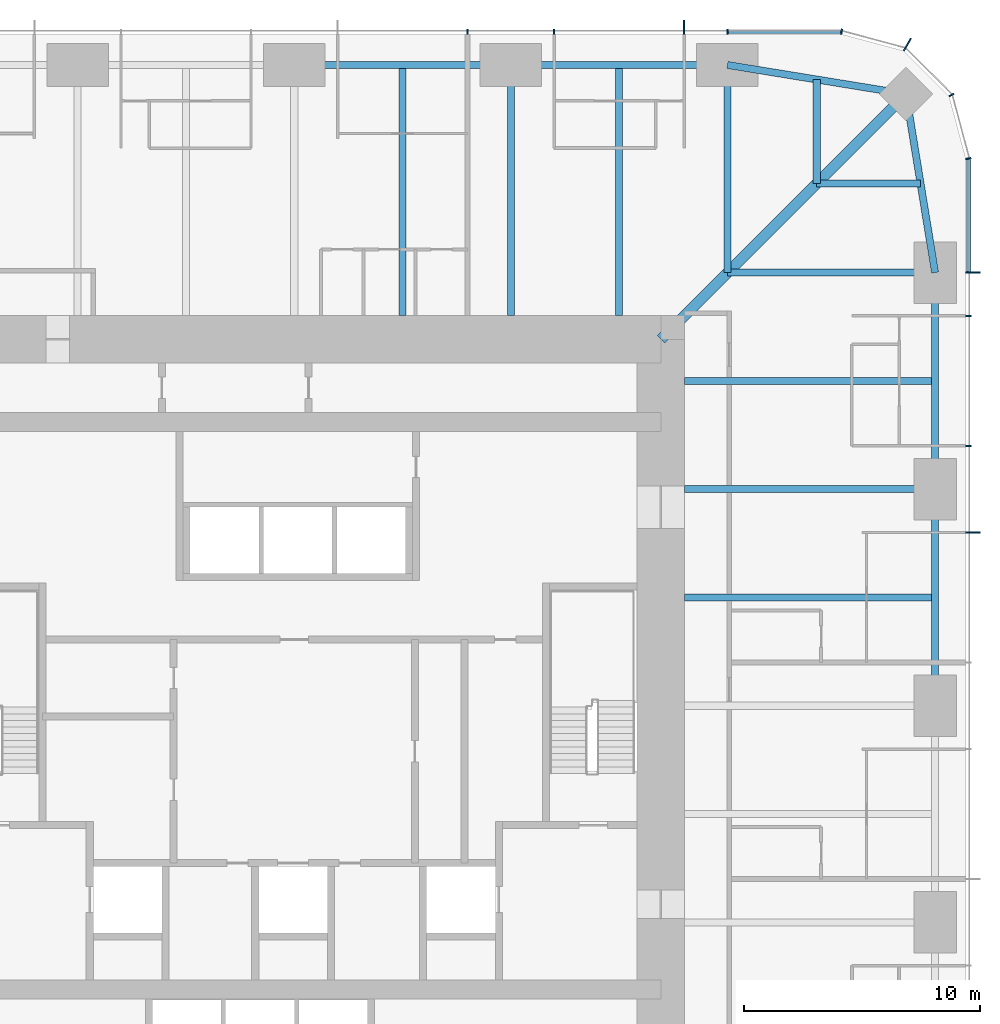
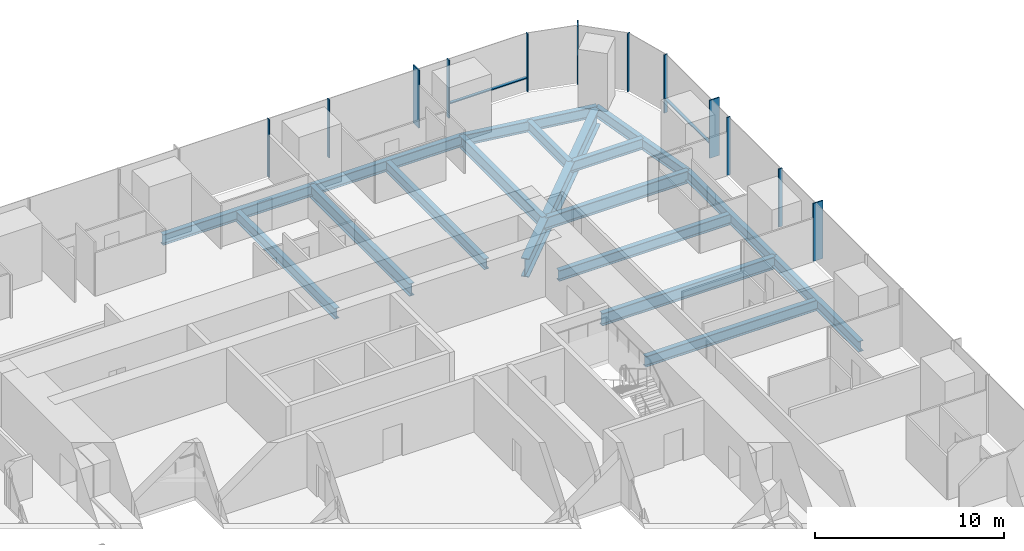
# One storey, part 6 of 13: 17 beams, 14 members, 3 elements without a shape of their own.
"""IFC4 building model written with IfcOpenShell, lengths in metres."""

from ifc_helpers import new_model, si_unit, direction, frame, origin, origin_2d, place, context, subcontext, project, spatial, rectangle, i_section, extrude, material, material_profile, profile_set, type_object, element, aggregate, save


model = new_model("IFC4")

# Units and contexts
model_context = context("Model", 3, precision=1e-05, world=origin(), true_north=direction((0.0, 1.0)))
body_context = subcontext(model_context, "Body", "Model", "MODEL_VIEW")
ifc_project = project(units=[si_unit("LENGTHUNIT", "METRE"), si_unit("AREAUNIT", "SQUARE_METRE"), si_unit("VOLUMEUNIT", "CUBIC_METRE"), si_unit("PLANEANGLEUNIT", "RADIAN"), si_unit("MASSUNIT", "GRAM", prefix="KILO")], contexts=[model_context])

# Site, building, storey
site_placement = place(None, origin())
site = spatial("IfcSite", under=ifc_project, at=site_placement, CompositionType="ELEMENT")
building_placement = place(site_placement, origin())
building = spatial("IfcBuilding", under=site, at=building_placement, Name="Khuree Lantern Residences", CompositionType="ELEMENT")
storey_placement = place(building_placement, frame((0.0, 0.0, 163.5)))
storey = spatial("IfcBuildingStorey", under=building, at=storey_placement, Name="L41", CompositionType="ELEMENT", Elevation=163.5)

# Beams
ifc_material_1 = material(Name="Steel S355", Category="steel")
ifc_material_profile_1 = material_profile(ifc_material_1, i_section(OverallWidth=0.300048828125, OverallDepth=0.68994140625, WebThickness=0.014404296875, FlangeThickness=0.027099609375, FilletRadius=0.027099609375, at=origin_2d()), Name="HE 700 A")
ifc_profile_set_1 = profile_set([ifc_material_profile_1], Name="Steel S355")
beam_type_1 = type_object("IfcBeamType", Name="B-24 SECONDARY BEAM HE 700 A", PredefinedType="BEAM", material=ifc_profile_set_1)
for number, where, z_axis, x_axis, name in (
    (1, (4.580078125, 27.10009765625, -0.594970703125), (0.0, -1.0, 0.0), (1.0, 0.0, 0.0), "Secondary beam N3"),
    (2, (13.739990234375, 27.10009765625, -0.594970703125), (0.0, -1.0, 0.0), (1.0, 0.0, 0.0), "Secondary beam N4"),
):
    element("IfcBeam", number, at=place(storey_placement, frame(where, z_axis=z_axis, x_axis=x_axis)), inside=storey, type_object=beam_type_1, Name=name, PredefinedType="BEAM", context=body_context, shape_type="SweptSolid", body=[
        extrude(i_section(OverallWidth=0.300048828125, OverallDepth=0.68994140625, WebThickness=0.014404296875, FlangeThickness=0.027099609375, FilletRadius=0.027099609375, at=origin_2d()), origin(), (0.0, 0.0, 1.0), 10.60009765625),
    ])
for number, where, z_axis, x_axis, name in (
    (3, (22.094970703125, 26.48486328125, -0.594970703125), (0.0, -1.0, 0.0), (1.0, 0.0, 0.0), "Secondary beam N5"),
    (4, (26.48486328125, 22.094970703125, -0.594970703125), (-1.0, 0.0, 0.0), (0.0, -1.0, 0.0), "Secondary beam E1"),
):
    element("IfcBeam", number, at=place(storey_placement, frame(where, z_axis=z_axis, x_axis=x_axis)), inside=storey, type_object=beam_type_1, Name=name, PredefinedType="BEAM", context=body_context, shape_type="SweptSolid", body=[
        extrude(i_section(OverallWidth=0.300048828125, OverallDepth=0.68994140625, WebThickness=0.014404296875, FlangeThickness=0.027099609375, FilletRadius=0.027099609375, at=origin_2d()), origin(), (0.0, 0.0, 1.0), 4.389892578125),
    ])
for number, where, z_axis, x_axis, name in (
    (5, (27.10009765625, 13.739990234375, -0.594970703125), (-1.0, 0.0, 0.0), (0.0, -1.0, 0.0), "Secondary beam E2"),
    (6, (27.10009765625, 4.580078125, -0.594970703125), (-1.0, 0.0, 0.0), (0.0, -1.0, 0.0), "Secondary beam E3"),
):
    element("IfcBeam", number, at=place(storey_placement, frame(where, z_axis=z_axis, x_axis=x_axis)), inside=storey, type_object=beam_type_1, Name=name, PredefinedType="BEAM", context=body_context, shape_type="SweptSolid", body=[
        extrude(i_section(OverallWidth=0.300048828125, OverallDepth=0.68994140625, WebThickness=0.014404296875, FlangeThickness=0.027099609375, FilletRadius=0.027099609375, at=origin_2d()), origin(), (0.0, 0.0, 1.0), 10.60009765625),
    ])
ifc_material_profile_2 = material_profile(ifc_material_1, i_section(OverallWidth=0.300048828125, OverallDepth=0.68994140625, WebThickness=0.014404296875, FlangeThickness=0.027099609375, FilletRadius=0.027099609375, at=origin_2d()), Name="HE 700 A")
ifc_profile_set_2 = profile_set([ifc_material_profile_2], Name="Steel S355")
beam_type_2 = type_object("IfcBeamType", Name="E-24 SPANDREL BEAM HE 700 A", PredefinedType="SPANDREL", material=ifc_profile_set_2)
beam_1_placement = place(storey_placement, frame((0.0, 27.10009765625, -0.594970703125), z_axis=(1.0, 0.0, 0.0), x_axis=(0.0, 1.0, 0.0)))
element("IfcBeam", 7, at=beam_1_placement, inside=storey, type_object=beam_type_2, Name="Spandrel beam N3", PredefinedType="SPANDREL", context=body_context, shape_type="SweptSolid", body=[
    extrude(i_section(OverallWidth=0.300048828125, OverallDepth=0.68994140625, WebThickness=0.014404296875, FlangeThickness=0.027099609375, FilletRadius=0.027099609375, at=origin_2d()), origin(), (0.0, 0.0, 1.0), 9.159912109375),
])
beam_2_placement = place(storey_placement, frame((9.159912109375, 27.10009765625, -0.594970703125), z_axis=(1.0, 0.0, 0.0), x_axis=(0.0, 1.0, 0.0)))
element("IfcBeam", 8, at=beam_2_placement, inside=storey, type_object=beam_type_2, Name="Spandrel beam N4", PredefinedType="SPANDREL", context=body_context, shape_type="SweptSolid", body=[
    extrude(i_section(OverallWidth=0.300048828125, OverallDepth=0.68994140625, WebThickness=0.014404296875, FlangeThickness=0.027099609375, FilletRadius=0.027099609375, at=origin_2d()), origin(), (0.0, 0.0, 1.0), 9.16015625),
])
for number, where, z_axis, x_axis, name in (
    (9, (18.320068359375, 27.10009765625, -0.594970703125), (0.986982656839, -0.160826723833, 0.0), (0.160826723833, 0.986982656839, 0.0), "Spandrel beam N5"),
    (10, (25.869873046875, 25.869873046875, -0.594970703125), (0.160826723833, -0.986982656839, 0.0), (0.986982656839, 0.160826723833, 0.0), "Spandrel beam E1"),
):
    element("IfcBeam", number, at=place(storey_placement, frame(where, z_axis=z_axis, x_axis=x_axis)), inside=storey, type_object=beam_type_2, Name=name, PredefinedType="SPANDREL", context=body_context, shape_type="SweptSolid", body=[
        extrude(i_section(OverallWidth=0.300048828125, OverallDepth=0.68994140625, WebThickness=0.014404296875, FlangeThickness=0.027099609375, FilletRadius=0.027099609375, at=origin_2d()), origin(), (0.0, 0.0, 1.0), 7.6494140625),
    ])
beam_3_placement = place(storey_placement, frame((27.10009765625, 18.320068359375, -0.594970703125), z_axis=(0.0, -1.0, 0.0), x_axis=(1.0, 0.0, 0.0)))
element("IfcBeam", 11, at=beam_3_placement, inside=storey, type_object=beam_type_2, Name="Spandrel beam E2", PredefinedType="SPANDREL", context=body_context, shape_type="SweptSolid", body=[
    extrude(i_section(OverallWidth=0.300048828125, OverallDepth=0.68994140625, WebThickness=0.014404296875, FlangeThickness=0.027099609375, FilletRadius=0.027099609375, at=origin_2d()), origin(), (0.0, 0.0, 1.0), 9.16015625),
])
beam_4_placement = place(storey_placement, frame((27.10009765625, 9.159912109375, -0.594970703125), z_axis=(0.0, -1.0, 0.0), x_axis=(1.0, 0.0, 0.0)))
element("IfcBeam", 12, at=beam_4_placement, inside=storey, type_object=beam_type_2, Name="Spandrel beam E3", PredefinedType="SPANDREL", context=body_context, shape_type="SweptSolid", body=[
    extrude(i_section(OverallWidth=0.300048828125, OverallDepth=0.68994140625, WebThickness=0.014404296875, FlangeThickness=0.027099609375, FilletRadius=0.027099609375, at=origin_2d()), origin(), (0.0, 0.0, 1.0), 9.159912109375),
])

# Curtain wall, members
ifc_material_2 = material(Name="Bronze anodised aluminium", Category="aluminium")
curtain_wall_type_1 = type_object("IfcCurtainWallType", Name="CW-T1 TOWER FACE CURTAIN WALL", PredefinedType="USERDEFINED", material=ifc_material_2)
curtain_wall_1_placement = place(storey_placement, origin())
curtain_wall_1 = element("IfcCurtainWall", 13, at=curtain_wall_1_placement, inside=storey, type_object=curtain_wall_type_1, Name="L41 EAST FACE CURTAIN WALL", ObjectType="Stick-built curtain wall", PredefinedType="USERDEFINED")
ifc_material_profile_3 = material_profile(ifc_material_2, rectangle(XDim=0.06494140625, YDim=0.60009765625, at=origin_2d()), Name="F1 65X600")
ifc_profile_set_3 = profile_set([ifc_material_profile_3], Name="Bronze anodised aluminium")
member_type_1 = type_object("IfcMemberType", Name="F1 BRONZE FIN MULLION TOWER 65X600", PredefinedType="MULLION", material=ifc_profile_set_3)
member_1_placement = place(storey_placement, frame((28.699951171875, 7.327880859375, 0.0), z_axis=(0.0, 0.0, 1.0), x_axis=(0.0, 1.0, 0.0)))
member_1 = element("IfcMember", 14, at=member_1_placement, type_object=member_type_1, Name="L41 EAST FACE FIN MULLION 11", PredefinedType="MULLION", context=body_context, shape_type="SweptSolid", body=[
    extrude(rectangle(XDim=0.06494140625, YDim=0.60009765625, at=origin_2d()), origin(), (0.0, 0.0, 1.0), 3.75),
])
member_2_placement = place(storey_placement, frame((28.699951171875, 18.320068359375, 0.0), z_axis=(0.0, 0.0, 1.0), x_axis=(0.0, 1.0, 0.0)))
member_2 = element("IfcMember", 15, at=member_2_placement, type_object=member_type_1, Name="L41 EAST FACE FIN MULLION 14", PredefinedType="MULLION", context=body_context, shape_type="SweptSolid", body=[
    extrude(rectangle(XDim=0.06494140625, YDim=0.60009765625, at=origin_2d()), origin(), (0.0, 0.0, 1.0), 3.75),
])

# Curtain wall, member
curtain_wall_type_2 = type_object("IfcCurtainWallType", Name="CW-T2 TOWER CORNER CURTAIN WALL", PredefinedType="USERDEFINED", material=ifc_material_2)
curtain_wall_2_placement = place(storey_placement, origin())
curtain_wall_2 = element("IfcCurtainWall", 16, at=curtain_wall_2_placement, inside=storey, type_object=curtain_wall_type_2, Name="L41 NORTH-EAST CORNER CURTAIN WALL", ObjectType="Faceted corner curtain wall", PredefinedType="USERDEFINED")
member_3_placement = place(storey_placement, frame((25.925048828125, 27.95654296875, 0.0), z_axis=(0.0, 0.0, 1.0), x_axis=(-0.866025388199, 0.500000026995, 0.0)))
member_3 = element("IfcMember", 17, at=member_3_placement, type_object=member_type_1, Name="L41 NORTH-EAST CORNER FIN MULLION 17", PredefinedType="MULLION", context=body_context, shape_type="SweptSolid", body=[
    extrude(rectangle(XDim=0.06494140625, YDim=0.60009765625, at=origin_2d()), origin(), (0.0, 0.0, 1.0), 3.75),
])

curtain_wall_3_placement = place(storey_placement, origin())
curtain_wall_3 = element("IfcCurtainWall", 18, at=curtain_wall_3_placement, inside=storey, type_object=curtain_wall_type_1, Name="L41 NORTH FACE CURTAIN WALL", ObjectType="Stick-built curtain wall", PredefinedType="USERDEFINED")
member_4_placement = place(storey_placement, frame((16.488037109375, 28.699951171875, 0.0), z_axis=(0.0, 0.0, 1.0), x_axis=(-1.0, 0.0, 0.0)))
member_4 = element("IfcMember", 19, at=member_4_placement, type_object=member_type_1, Name="L41 NORTH FACE FIN MULLION 20", PredefinedType="MULLION", context=body_context, shape_type="SweptSolid", body=[
    extrude(rectangle(XDim=0.06494140625, YDim=0.60009765625, at=origin_2d()), origin(), (0.0, 0.0, 1.0), 3.75),
])

# Beams
ifc_material_profile_4 = material_profile(ifc_material_1, i_section(OverallWidth=0.300048828125, OverallDepth=0.800048828125, WebThickness=0.017578125, FlangeThickness=0.032958984375, FilletRadius=0.030029296875, at=origin_2d()), Name="HE 800 B")
ifc_profile_set_4 = profile_set([ifc_material_profile_4], Name="Steel S355")
beam_type_3 = type_object("IfcBeamType", Name="G-24 GIRDER HE 800 B", PredefinedType="BEAM", material=ifc_profile_set_4)
beam_5_placement = place(storey_placement, frame((9.159912109375, 27.10009765625, -0.64990234375), z_axis=(0.0, -1.0, 0.0), x_axis=(1.0, 0.0, 0.0)))
element("IfcBeam", 20, at=beam_5_placement, inside=storey, type_object=beam_type_3, Name="Girder N4", PredefinedType="BEAM", context=body_context, shape_type="SweptSolid", body=[
    extrude(i_section(OverallWidth=0.300048828125, OverallDepth=0.800048828125, WebThickness=0.017578125, FlangeThickness=0.032958984375, FilletRadius=0.030029296875, at=origin_2d()), origin(), (0.0, 0.0, 1.0), 10.60009765625),
])
for number, where, z_axis, x_axis, name in (
    (21, (18.320068359375, 27.10009765625, -0.64990234375), (0.0, -1.0, 0.0), (1.0, 0.0, 0.0), "Girder N5"),
    (22, (27.10009765625, 18.320068359375, -0.64990234375), (-1.0, 0.0, 0.0), (0.0, -1.0, 0.0), "Girder E1"),
):
    element("IfcBeam", number, at=place(storey_placement, frame(where, z_axis=z_axis, x_axis=x_axis)), inside=storey, type_object=beam_type_3, Name=name, PredefinedType="BEAM", context=body_context, shape_type="SweptSolid", body=[
        extrude(i_section(OverallWidth=0.300048828125, OverallDepth=0.800048828125, WebThickness=0.017578125, FlangeThickness=0.032958984375, FilletRadius=0.030029296875, at=origin_2d()), origin(), (0.0, 0.0, 1.0), 8.780029296875),
    ])
beam_6_placement = place(storey_placement, frame((27.10009765625, 9.159912109375, -0.64990234375), z_axis=(-1.0, 0.0, 0.0), x_axis=(0.0, -1.0, 0.0)))
element("IfcBeam", 23, at=beam_6_placement, inside=storey, type_object=beam_type_3, Name="Girder E2", PredefinedType="BEAM", context=body_context, shape_type="SweptSolid", body=[
    extrude(i_section(OverallWidth=0.300048828125, OverallDepth=0.800048828125, WebThickness=0.017578125, FlangeThickness=0.032958984375, FilletRadius=0.030029296875, at=origin_2d()), origin(), (0.0, 0.0, 1.0), 10.60009765625),
])
ifc_material_profile_5 = material_profile(ifc_material_1, i_section(OverallWidth=0.449951171875, OverallDepth=1.199951171875, WebThickness=0.02490234375, FlangeThickness=0.044921875, at=origin_2d()), Name="WELDED I 1200X450X25X45")
ifc_profile_set_5 = profile_set([ifc_material_profile_5], Name="Steel S355")
beam_type_4 = type_object("IfcBeamType", Name="GD-24 CORNER GIRDER WELDED I 1200X450X25X45", PredefinedType="BEAM", material=ifc_profile_set_5)
beam_7_placement = place(storey_placement, frame((25.869873046875, 25.869873046875, -0.85009765625), z_axis=(-0.707106781187, -0.707106781187, 0.0), x_axis=(0.707106781187, -0.707106781187, 0.0)))
element("IfcBeam", 24, at=beam_7_placement, inside=storey, type_object=beam_type_4, Name="Corner girder NE", PredefinedType="BEAM", context=body_context, shape_type="SweptSolid", body=[
    extrude(i_section(OverallWidth=0.449951171875, OverallDepth=1.199951171875, WebThickness=0.02490234375, FlangeThickness=0.044921875, at=origin_2d()), origin(), (0.0, 0.0, 1.0), 14.665283203125),
])

# Member
ifc_material_profile_6 = material_profile(ifc_material_2, rectangle(XDim=0.06494140625, YDim=0.219970703125, at=origin_2d()), Name="M1 65X220")
ifc_profile_set_6 = profile_set([ifc_material_profile_6], Name="Bronze anodised aluminium")
member_type_2 = type_object("IfcMemberType", Name="M1 BRONZE MULLION TOWER 65X220", PredefinedType="MULLION", material=ifc_profile_set_6)
member_5_placement = place(storey_placement, frame((28.510009765625, 10.991943359375, 0.0), z_axis=(0.0, 0.0, 1.0), x_axis=(0.0, 1.0, 0.0)))
member_5 = element("IfcMember", 25, at=member_5_placement, type_object=member_type_2, Name="L41 EAST FACE MULLION 12", PredefinedType="MULLION", context=body_context, shape_type="SweptSolid", body=[
    extrude(rectangle(XDim=0.06494140625, YDim=0.219970703125, at=origin_2d()), origin(), (0.0, 0.0, 1.0), 3.75),
])

member_6_placement = place(storey_placement, frame((28.510009765625, 16.488037109375, 0.0), z_axis=(0.0, 0.0, 1.0), x_axis=(0.0, 1.0, 0.0)))
member_6 = element("IfcMember", 26, at=member_6_placement, type_object=member_type_2, Name="L41 EAST FACE MULLION 13", PredefinedType="MULLION", context=body_context, shape_type="SweptSolid", body=[
    extrude(rectangle(XDim=0.06494140625, YDim=0.219970703125, at=origin_2d()), origin(), (0.0, 0.0, 1.0), 3.75),
])

member_7_placement = place(storey_placement, frame((28.51171875, 23.14501953125, 0.0), z_axis=(0.0, 0.0, 1.0), x_axis=(-0.130526223125, 0.991444857305, 0.0)))
member_7 = element("IfcMember", 27, at=member_7_placement, type_object=member_type_2, Name="L41 NORTH-EAST CORNER MULLION 15", PredefinedType="MULLION", context=body_context, shape_type="SweptSolid", body=[
    extrude(rectangle(XDim=0.06494140625, YDim=0.219970703125, at=origin_2d()), origin(), (0.0, 0.0, 1.0), 3.75),
])

member_8_placement = place(storey_placement, frame((27.7919921875, 25.830078125, 0.0), z_axis=(0.0, 0.0, 1.0), x_axis=(-0.500000026995, 0.866025388199, 0.0)))
member_8 = element("IfcMember", 28, at=member_8_placement, type_object=member_type_2, Name="L41 NORTH-EAST CORNER MULLION 16", PredefinedType="MULLION", context=body_context, shape_type="SweptSolid", body=[
    extrude(rectangle(XDim=0.06494140625, YDim=0.219970703125, at=origin_2d()), origin(), (0.0, 0.0, 1.0), 3.75),
])

aggregate(curtain_wall_2, [member_7, member_8, member_3])

member_9_placement = place(storey_placement, frame((23.14501953125, 28.51171875, 0.0), z_axis=(0.0, 0.0, 1.0), x_axis=(-0.991444857305, 0.130526223125, 0.0)))
member_9 = element("IfcMember", 29, at=member_9_placement, type_object=member_type_2, Name="L41 NORTH FACE MULLION 18", PredefinedType="MULLION", context=body_context, shape_type="SweptSolid", body=[
    extrude(rectangle(XDim=0.06494140625, YDim=0.219970703125, at=origin_2d()), origin(), (0.0, 0.0, 1.0), 3.75),
])

member_10_placement = place(storey_placement, frame((18.320068359375, 28.510009765625, 0.0), z_axis=(0.0, 0.0, 1.0), x_axis=(-1.0, 0.0, 0.0)))
member_10 = element("IfcMember", 30, at=member_10_placement, type_object=member_type_2, Name="L41 NORTH FACE MULLION 19", PredefinedType="MULLION", context=body_context, shape_type="SweptSolid", body=[
    extrude(rectangle(XDim=0.06494140625, YDim=0.219970703125, at=origin_2d()), origin(), (0.0, 0.0, 1.0), 3.75),
])

member_11_placement = place(storey_placement, frame((10.991943359375, 28.510009765625, 0.0), z_axis=(0.0, 0.0, 1.0), x_axis=(-1.0, 0.0, 0.0)))
member_11 = element("IfcMember", 31, at=member_11_placement, type_object=member_type_2, Name="L41 NORTH FACE MULLION 21", PredefinedType="MULLION", context=body_context, shape_type="SweptSolid", body=[
    extrude(rectangle(XDim=0.06494140625, YDim=0.219970703125, at=origin_2d()), origin(), (0.0, 0.0, 1.0), 3.75),
])

member_12_placement = place(storey_placement, frame((7.327880859375, 28.510009765625, 0.0), z_axis=(0.0, 0.0, 1.0), x_axis=(-1.0, 0.0, 0.0)))
member_12 = element("IfcMember", 32, at=member_12_placement, type_object=member_type_2, Name="L41 NORTH FACE MULLION 22", PredefinedType="MULLION", context=body_context, shape_type="SweptSolid", body=[
    extrude(rectangle(XDim=0.06494140625, YDim=0.219970703125, at=origin_2d()), origin(), (0.0, 0.0, 1.0), 3.75),
])

ifc_material_profile_7 = material_profile(ifc_material_2, rectangle(XDim=0.179931640625, YDim=0.06494140625, at=origin_2d()), Name="T1 180X65")
ifc_profile_set_7 = profile_set([ifc_material_profile_7], Name="Bronze anodised aluminium")
member_type_3 = type_object("IfcMemberType", Name="TRANSOM T1 TOWER 180X65", PredefinedType="USERDEFINED", material=ifc_profile_set_7)
member_13_placement = place(storey_placement, frame((28.52001953125, 18.3525390625, 0.89990234375), z_axis=(0.0, 1.0, 0.0), x_axis=(-1.0, 0.0, 0.0)))
member_13 = element("IfcMember", 33, at=member_13_placement, type_object=member_type_3, Name="L41 EAST FACE TRANSOM 14.1", ObjectType="Transom", PredefinedType="USERDEFINED", context=body_context, shape_type="SweptSolid", body=[
    extrude(rectangle(XDim=0.179931640625, YDim=0.06494140625, at=origin_2d()), origin(), (0.0, 0.0, 1.0), 4.748779296875),
])

aggregate(curtain_wall_1, [member_1, member_5, member_6, member_2, member_13])

member_14_placement = place(storey_placement, frame((23.101318359375, 28.52001953125, 0.89990234375), z_axis=(-1.0, 0.0, 0.0), x_axis=(0.0, -1.0, 0.0)))
member_14 = element("IfcMember", 34, at=member_14_placement, type_object=member_type_3, Name="L41 NORTH FACE TRANSOM 18.1", ObjectType="Transom", PredefinedType="USERDEFINED", context=body_context, shape_type="SweptSolid", body=[
    extrude(rectangle(XDim=0.179931640625, YDim=0.06494140625, at=origin_2d()), origin(), (0.0, 0.0, 1.0), 4.748779296875),
])

aggregate(curtain_wall_3, [member_9, member_10, member_4, member_11, member_12, member_14])

save(model, "model.ifc")
